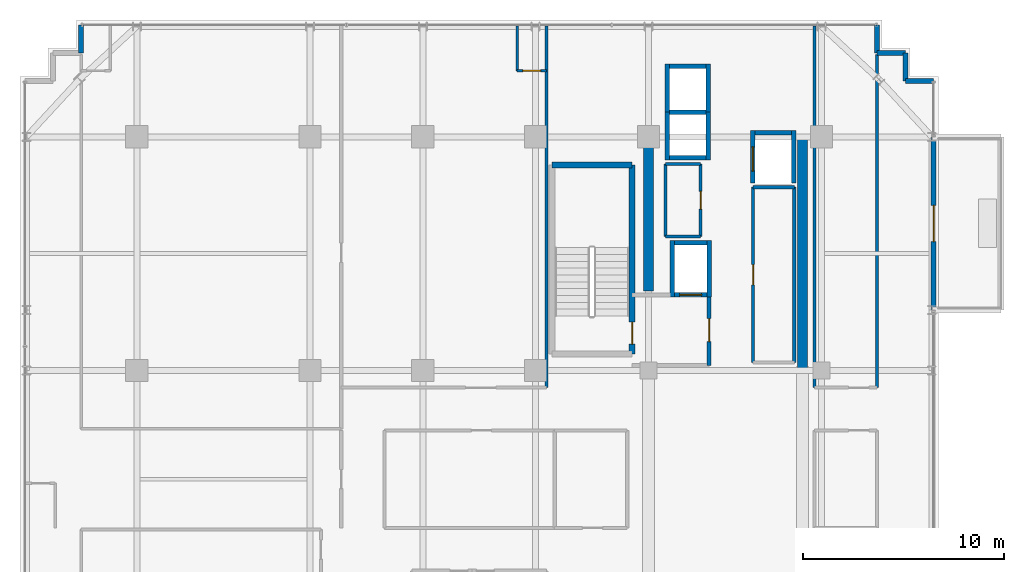
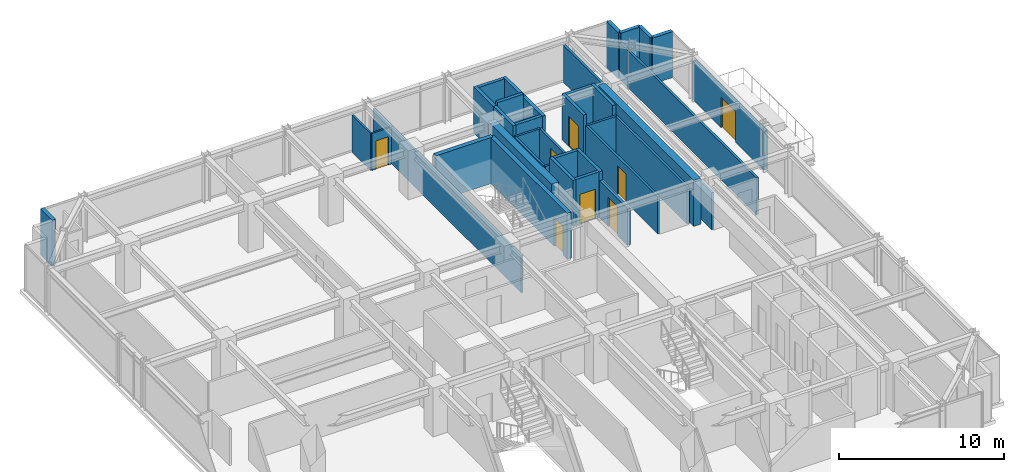
# One storey, part 27 of 31: 37 walls, 8 doors, 8 openings.
"""IFC4 building model written with IfcOpenShell, lengths in metres."""

from ifc_helpers import new_model, si_unit, direction, frame, frame_2d, origin, place, context, subcontext, project, spatial, rectangle, extrude, source, transform, mapped, material, layer, layer_set, type_object, element, fill, save


model = new_model("IFC4")

# Units and contexts
model_context = context("Model", 3, precision=1e-05, world=origin(), true_north=direction((0.0, 1.0)))
body_context = subcontext(model_context, "Body", "Model", "MODEL_VIEW")
ifc_project = project(units=[si_unit("LENGTHUNIT", "METRE"), si_unit("AREAUNIT", "SQUARE_METRE"), si_unit("VOLUMEUNIT", "CUBIC_METRE"), si_unit("PLANEANGLEUNIT", "RADIAN"), si_unit("MASSUNIT", "GRAM", prefix="KILO")], contexts=[model_context])

# Site, building, storey
site_placement = place(None, origin())
site = spatial("IfcSite", under=ifc_project, at=site_placement, CompositionType="ELEMENT")
building_placement = place(site_placement, origin())
building = spatial("IfcBuilding", under=site, at=building_placement, Name="Nahalor Promenade Grand Hotel", CompositionType="ELEMENT")
storey_placement = place(building_placement, frame((0.0, 0.0, 192.800048828125)))
storey = spatial("IfcBuildingStorey", under=building, at=storey_placement, Name="L49", CompositionType="ELEMENT", Elevation=192.800048828125)

# Walls
ifc_material_1 = material(Name="Concrete B-60 (C50/60)", Category="concrete")
ifc_layer_1 = layer(ifc_material_1, 0.5)
ifc_layer_set_1 = layer_set([ifc_layer_1], Name="Concrete B-60 (C50/60)")
wall_type_1 = type_object("IfcWallType", Name="Wall-CoreShear-500", PredefinedType="SHEAR", material=ifc_layer_set_1)
shared_shape_1 = source(origin(), body_context, "Body", "SweptSolid", [
    extrude(rectangle(XDim=7.64990234375, YDim=0.5, at=frame_2d((3.824951171875, 0.0))), origin(), (0.0, 0.0, 1.0), 3.389892578125),
])
wall_1_placement = place(storey_placement, frame((8.39990234375, 9.35009765625, 0.0), z_axis=(0.0, 0.0, 1.0), x_axis=(0.0, 1.0, 0.0)))
element("IfcWall", 1, at=wall_1_placement, inside=storey, type_object=wall_type_1, Name="CWALL-L49-NW", PredefinedType="SHEAR", context=body_context, shape_type="MappedRepresentation", body=[
    mapped(shared_shape_1, transform((0.0, 0.0, 0.0), scale=1.0)),
])
shared_shape_2 = source(origin(), body_context, "Body", "SweptSolid", [
    extrude(rectangle(XDim=11.60009765625, YDim=0.5, at=frame_2d((5.800048828125, 0.0))), origin(), (0.0, 0.0, 1.0), 3.389892578125),
])
wall_2_placement = place(storey_placement, frame((16.050048828125, 5.39990234375, 0.0), z_axis=(0.0, 0.0, 1.0), x_axis=(0.0, 1.0, 0.0)))
element("IfcWall", 2, at=wall_2_placement, inside=storey, type_object=wall_type_1, Name="CWALL-L49-NE", PredefinedType="SHEAR", context=body_context, shape_type="MappedRepresentation", body=[
    mapped(shared_shape_2, transform((0.0, 0.0, 0.0), scale=1.0)),
])
ifc_material_2 = material(Name="Concrete B-50 (C40/50)", Category="concrete")
ifc_layer_2 = layer(ifc_material_2, 0.300048828125)
ifc_layer_set_2 = layer_set([ifc_layer_2], Name="Concrete B-50 (C40/50)")
wall_type_2 = type_object("IfcWallType", Name="Wall-ShaftShear-300", PredefinedType="SHEAR", material=ifc_layer_set_2)
shared_shape_3 = source(origin(), body_context, "Body", "SweptSolid", [
    extrude(rectangle(XDim=3.97998046875, YDim=0.300048828125, at=frame_2d((1.989990234375, 0.0))), origin(), (0.0, 0.0, 1.0), 3.389892578125),
])
wall_3_placement = place(storey_placement, frame((3.610107421875, 15.590087890625, 0.0), z_axis=(0.0, 0.0, 1.0), x_axis=(1.0, 0.0, 0.0)))
element("IfcWall", 3, at=wall_3_placement, inside=storey, type_object=wall_type_2, Name="L49 Exit Stair ST1 Shaft Wall N", PredefinedType="SHEAR", context=body_context, shape_type="MappedRepresentation", body=[
    mapped(shared_shape_3, transform((0.0, 0.0, 0.0), scale=1.0)),
])

# Wall, opening, door
shared_shape_4 = source(origin(), body_context, "Body", "SweptSolid", [
    extrude(rectangle(XDim=9.380126953125, YDim=0.300048828125, at=frame_2d((4.68994140625, 0.0))), origin(), (0.0, 0.0, 1.0), 3.389892578125),
])
wall_4_placement = place(storey_placement, frame((7.590087890625, 6.2099609375, 0.0), z_axis=(0.0, 0.0, 1.0), x_axis=(0.0, 1.0, 0.0)))
wall_4 = element("IfcWall", 4, at=wall_4_placement, inside=storey, type_object=wall_type_2, Name="L49 Exit Stair ST1 Shaft Wall E", PredefinedType="SHEAR", context=body_context, shape_type="MappedRepresentation", body=[
    mapped(shared_shape_4, transform((0.0, 0.0, 0.0), scale=1.0)),
])
opening_1_placement = place(wall_4_placement, frame((0.489990234375, 0.0, 0.0)))
opening_1 = element("IfcOpeningElement", 5, at=opening_1_placement, cuts=wall_4, Name="Opening D-ST1", PredefinedType="OPENING", context=body_context, shape_type="SweptSolid", body=[
    extrude(rectangle(XDim=1.10009765625, YDim=2.14990234375, at=frame_2d((0.550048828125, 1.074951171875))), frame((0.0, 0.159912109375, 0.0), z_axis=(0.0, -1.0, 0.0), x_axis=(1.0, 0.0, 0.0)), (0.0, 0.0, 1.0), 0.320068359375),
])
ifc_material_3 = material(Name="Steel S355JR", Category="steel")
door_type_1 = type_object("IfcDoorType", Name="Door-StairFire-1100", OperationType="NOTDEFINED", PredefinedType="DOOR", material=ifc_material_3)
shared_shape_5 = source(origin(), body_context, "Body", "SweptSolid", [
    extrude(rectangle(XDim=1.10009765625, YDim=2.14990234375, at=frame_2d((0.550048828125, 1.074951171875))), frame((0.0, 0.02490234375, 0.0), z_axis=(0.0, -1.0, 0.0), x_axis=(1.0, 0.0, 0.0)), (0.0, 0.0, 1.0), 0.050048828125),
])
door_1_placement = place(opening_1_placement, origin())
door_1 = element("IfcDoor", 6, at=door_1_placement, inside=storey, type_object=door_type_1, Name="DR-STAIR-ST1-L49", OperationType="SINGLE_SWING_RIGHT", OverallHeight=2.14990234375, OverallWidth=1.10009765625, PredefinedType="DOOR", context=body_context, shape_type="MappedRepresentation", body=[
    mapped(shared_shape_5, transform((0.0, 0.0, 0.0), scale=1.0)),
])
fill(opening_1, door_1)

# Walls
ifc_layer_3 = layer(ifc_material_2, 0.219970703125)
ifc_layer_set_3 = layer_set([ifc_layer_3], Name="Concrete B-50 (C40/50)")
wall_type_3 = type_object("IfcWallType", Name="Wall-LiftShaft-220", PredefinedType="SHEAR", material=ifc_layer_set_3)
shared_shape_6 = source(origin(), body_context, "Body", "SweptSolid", [
    extrude(rectangle(XDim=1.820068359375, YDim=0.219970703125, at=frame_2d((0.91015625, 0.0))), origin(), (0.0, 0.0, 1.0), 3.64990234375),
])
wall_5_placement = place(storey_placement, frame((9.43994140625, 18.22509765625, 0.0), z_axis=(0.0, 0.0, 1.0), x_axis=(1.0, 0.0, 0.0)))
element("IfcWall", 7, at=wall_5_placement, inside=storey, type_object=wall_type_3, Name="L49 Lift OB1 Hoistway Wall N", PredefinedType="SHEAR", context=body_context, shape_type="MappedRepresentation", body=[
    mapped(shared_shape_6, transform((0.0, 0.0, 0.0), scale=1.0)),
])
shared_shape_7 = source(origin(), body_context, "Body", "SweptSolid", [
    extrude(rectangle(XDim=1.820068359375, YDim=0.219970703125, at=frame_2d((0.91015625, 0.0))), origin(), (0.0, 0.0, 1.0), 3.389892578125),
])
for number, where, z_axis, x_axis, name in (
    (8, (9.43994140625, 15.949951171875, 0.0), (0.0, 0.0, 1.0), (1.0, 0.0, 0.0), "L49 Lift OB1 Hoistway Wall S"),
    (9, (9.43994140625, 20.5, 0.0), (0.0, 0.0, 1.0), (1.0, 0.0, 0.0), "L49 Lift OB2 Hoistway Wall N"),
    (10, (13.68994140625, 17.199951171875, 0.0), (0.0, 0.0, 1.0), (1.0, 0.0, 0.0), "L49 Lift SV1 Hoistway Wall N"),
):
    element("IfcWall", number, at=place(storey_placement, frame(where, z_axis=z_axis, x_axis=x_axis)), inside=storey, type_object=wall_type_3, Name=name, PredefinedType="SHEAR", context=body_context, shape_type="MappedRepresentation", body=[
        mapped(shared_shape_7, transform((0.0, 0.0, 0.0), scale=1.0)),
    ])
shared_shape_8 = source(origin(), body_context, "Body", "SweptSolid", [
    extrude(rectangle(XDim=2.385009765625, YDim=0.219970703125, at=frame_2d((1.1923828125, 0.0))), origin(), (0.0, 0.0, 1.0), 3.389892578125),
])
for number, where, z_axis, x_axis, name in (
    (11, (9.330078125, 15.840087890625, 0.0), (0.0, 0.0, 1.0), (0.0, 1.0, 0.0), "L49 Lift OB1 Hoistway Wall W"),
    (12, (11.3701171875, 15.840087890625, 0.0), (0.0, 0.0, 1.0), (0.0, 1.0, 0.0), "L49 Lift OB1 Hoistway Wall E"),
    (13, (9.330078125, 18.22509765625, 0.0), (0.0, 0.0, 1.0), (0.0, 1.0, 0.0), "L49 Lift OB2 Hoistway Wall W"),
    (14, (11.3701171875, 18.22509765625, 0.0), (0.0, 0.0, 1.0), (0.0, 1.0, 0.0), "L49 Lift OB2 Hoistway Wall E"),
):
    element("IfcWall", number, at=place(storey_placement, frame(where, z_axis=z_axis, x_axis=x_axis)), inside=storey, type_object=wall_type_3, Name=name, PredefinedType="SHEAR", context=body_context, shape_type="MappedRepresentation", body=[
        mapped(shared_shape_8, transform((0.0, 0.0, 0.0), scale=1.0)),
    ])
shared_shape_9 = source(origin(), body_context, "Body", "SweptSolid", [
    extrude(rectangle(XDim=2.820068359375, YDim=0.219970703125, at=frame_2d((1.41015625, 0.0))), origin(), (0.0, 0.0, 1.0), 3.389892578125),
])
for number, where, z_axis, x_axis, name in (
    (15, (9.580078125, 9.0400390625, 0.0), (0.0, 0.0, 1.0), (0.0, 1.0, 0.0), "L49 Lift FL1 Hoistway Wall W"),
    (16, (11.419921875, 9.0400390625, 0.0), (0.0, 0.0, 1.0), (0.0, 1.0, 0.0), "L49 Lift FL1 Hoistway Wall E"),
):
    element("IfcWall", number, at=place(storey_placement, frame(where, z_axis=z_axis, x_axis=x_axis)), inside=storey, type_object=wall_type_3, Name=name, PredefinedType="SHEAR", context=body_context, shape_type="MappedRepresentation", body=[
        mapped(shared_shape_9, transform((0.0, 0.0, 0.0), scale=1.0)),
    ])

# Wall, opening, door
shared_shape_10 = source(origin(), body_context, "Body", "SweptSolid", [
    extrude(rectangle(XDim=1.6201171875, YDim=0.219970703125, at=frame_2d((0.81005859375, 0.0))), origin(), (0.0, 0.0, 1.0), 3.389892578125),
])
wall_6_placement = place(storey_placement, frame((9.68994140625, 9.14990234375, 0.0), z_axis=(0.0, 0.0, 1.0), x_axis=(1.0, 0.0, 0.0)))
wall_6 = element("IfcWall", 17, at=wall_6_placement, inside=storey, type_object=wall_type_3, Name="L49 Lift FL1 Hoistway Wall S", PredefinedType="SHEAR", context=body_context, shape_type="MappedRepresentation", body=[
    mapped(shared_shape_10, transform((0.0, 0.0, 0.0), scale=1.0)),
])
opening_2_placement = place(wall_6_placement, frame((0.260009765625, 0.0, 0.0)))
opening_2 = element("IfcOpeningElement", 18, at=opening_2_placement, cuts=wall_6, Name="Opening LD-02", PredefinedType="OPENING", context=body_context, shape_type="SweptSolid", body=[
    extrude(rectangle(XDim=1.10009765625, YDim=2.199951171875, at=frame_2d((0.550048828125, 1.10009765625))), frame((0.0, 0.119873046875, 0.0), z_axis=(0.0, -1.0, 0.0), x_axis=(1.0, 0.0, 0.0)), (0.0, 0.0, 1.0), 0.239990234375),
])
door_type_2 = type_object("IfcDoorType", Name="Door-LiftFF-1100", OperationType="DOUBLE_DOOR_SLIDING", PredefinedType="DOOR", material=ifc_material_3)
shared_shape_11 = source(origin(), body_context, "Body", "SweptSolid", [
    extrude(rectangle(XDim=1.10009765625, YDim=2.199951171875, at=frame_2d((0.550048828125, 1.10009765625))), frame((0.0, 0.02490234375, 0.0), z_axis=(0.0, -1.0, 0.0), x_axis=(1.0, 0.0, 0.0)), (0.0, 0.0, 1.0), 0.050048828125),
])
door_2_placement = place(opening_2_placement, frame((1.10009765625, 0.0, 0.0), z_axis=(0.0, 0.0, 1.0), x_axis=(-1.0, 0.0, 0.0)))
door_2 = element("IfcDoor", 19, at=door_2_placement, inside=storey, type_object=door_type_2, Name="DR-LIFT-FL1-L49", OperationType="DOUBLE_DOOR_SLIDING", OverallHeight=2.199951171875, OverallWidth=1.10009765625, PredefinedType="DOOR", context=body_context, shape_type="MappedRepresentation", body=[
    mapped(shared_shape_11, transform((0.0, 0.0, 0.0), scale=1.0)),
])
fill(opening_2, door_2)

# Wall
wall_7_placement = place(storey_placement, frame((9.68994140625, 11.75, 0.0), z_axis=(0.0, 0.0, 1.0), x_axis=(1.0, 0.0, 0.0)))
element("IfcWall", 20, at=wall_7_placement, inside=storey, type_object=wall_type_3, Name="L49 Lift FL1 Hoistway Wall N", PredefinedType="SHEAR", context=body_context, shape_type="MappedRepresentation", body=[
    mapped(shared_shape_10, transform((0.0, 0.0, 0.0), scale=1.0)),
])

# Wall, opening, door
shared_shape_12 = source(origin(), body_context, "Body", "SweptSolid", [
    extrude(rectangle(XDim=2.610107421875, YDim=0.219970703125, at=frame_2d((1.30517578125, 0.0))), origin(), (0.0, 0.0, 1.0), 3.389892578125),
])
wall_8_placement = place(storey_placement, frame((13.580078125, 14.699951171875, 0.0), z_axis=(0.0, 0.0, 1.0), x_axis=(0.0, 1.0, 0.0)))
wall_8 = element("IfcWall", 21, at=wall_8_placement, inside=storey, type_object=wall_type_3, Name="L49 Lift SV1 Hoistway Wall W", PredefinedType="SHEAR", context=body_context, shape_type="MappedRepresentation", body=[
    mapped(shared_shape_12, transform((0.0, 0.0, 0.0), scale=1.0)),
])
opening_3_placement = place(wall_8_placement, frame((0.60009765625, 0.0, 0.0)))
opening_3 = element("IfcOpeningElement", 22, at=opening_3_placement, cuts=wall_8, Name="Opening LD-03", PredefinedType="OPENING", context=body_context, shape_type="SweptSolid", body=[
    extrude(rectangle(XDim=1.199951171875, YDim=2.199951171875, at=frame_2d((0.60009765625, 1.10009765625))), frame((0.0, 0.119873046875, 0.0), z_axis=(0.0, -1.0, 0.0), x_axis=(1.0, 0.0, 0.0)), (0.0, 0.0, 1.0), 0.239990234375),
])
door_type_3 = type_object("IfcDoorType", Name="Door-LiftService-1200", OperationType="DOUBLE_DOOR_SLIDING", PredefinedType="DOOR", material=ifc_material_3)
shared_shape_13 = source(origin(), body_context, "Body", "SweptSolid", [
    extrude(rectangle(XDim=1.199951171875, YDim=2.199951171875, at=frame_2d((0.60009765625, 1.10009765625))), frame((0.0, 0.02490234375, 0.0), z_axis=(0.0, -1.0, 0.0), x_axis=(1.0, 0.0, 0.0)), (0.0, 0.0, 1.0), 0.050048828125),
])
door_3_placement = place(opening_3_placement, origin())
door_3 = element("IfcDoor", 23, at=door_3_placement, inside=storey, type_object=door_type_3, Name="DR-LIFT-SV1-L49", OperationType="DOUBLE_DOOR_SLIDING", OverallHeight=2.199951171875, OverallWidth=1.199951171875, PredefinedType="DOOR", context=body_context, shape_type="MappedRepresentation", body=[
    mapped(shared_shape_13, transform((0.0, 0.0, 0.0), scale=1.0)),
])
fill(opening_3, door_3)

# Walls
wall_9_placement = place(storey_placement, frame((15.6201171875, 14.699951171875, 0.0), z_axis=(0.0, 0.0, 1.0), x_axis=(0.0, 1.0, 0.0)))
element("IfcWall", 24, at=wall_9_placement, inside=storey, type_object=wall_type_3, Name="L49 Lift SV1 Hoistway Wall E", PredefinedType="SHEAR", context=body_context, shape_type="MappedRepresentation", body=[
    mapped(shared_shape_12, transform((0.0, 0.0, 0.0), scale=1.0)),
])
ifc_material_4 = material(Name="Concrete B-40 (C32/40)", Category="concrete")
ifc_layer_4 = layer(ifc_material_4, 0.25)
ifc_layer_set_4 = layer_set([ifc_layer_4], Name="Concrete B-40 (C32/40)")
wall_type_4 = type_object("IfcWallType", Name="Wall-BronzePier-250", PredefinedType="STANDARD", material=ifc_layer_set_4)
shared_shape_14 = source(origin(), body_context, "Body", "SweptSolid", [
    extrude(rectangle(XDim=1.400146484375, YDim=0.25, at=frame_2d((0.7001953125, 0.0))), origin(), (0.0, 0.0, 1.0), 3.389892578125),
])
for number, where, z_axis, x_axis, name in (
    (25, (21.159912109375, 19.760009765625, 0.0), (0.0, 0.0, 1.0), (1.0, 0.0, 0.0), "W-L49-SR-05"),
    (26, (19.760009765625, 21.159912109375, 0.0), (0.0, 0.0, 1.0), (0.0, 1.0, 0.0), "W-L49-SR-08"),
    (27, (-19.760009765625, 21.159912109375, 0.0), (0.0, 0.0, 1.0), (0.0, 1.0, 0.0), "W-L49-SR-09"),
):
    element("IfcWall", number, at=place(storey_placement, frame(where, z_axis=z_axis, x_axis=x_axis)), inside=storey, type_object=wall_type_4, Name=name, PredefinedType="STANDARD", context=body_context, shape_type="MappedRepresentation", body=[
        mapped(shared_shape_14, transform((0.0, 0.0, 0.0), scale=1.0)),
    ])
shared_shape_15 = source(origin(), body_context, "Body", "SweptSolid", [
    extrude(rectangle(XDim=1.39990234375, YDim=0.25, at=frame_2d((0.699951171875, 0.0))), origin(), (0.0, 0.0, 1.0), 3.389892578125),
])
for number, where, z_axis, x_axis, name in (
    (28, (21.159912109375, 19.760009765625, 0.0), (0.0, 0.0, 1.0), (0.0, 1.0, 0.0), "W-L49-SR-06"),
    (29, (19.760009765625, 21.159912109375, 0.0), (0.0, 0.0, 1.0), (1.0, 0.0, 0.0), "W-L49-SR-07"),
):
    element("IfcWall", number, at=place(storey_placement, frame(where, z_axis=z_axis, x_axis=x_axis)), inside=storey, type_object=wall_type_4, Name=name, PredefinedType="STANDARD", context=body_context, shape_type="MappedRepresentation", body=[
        mapped(shared_shape_15, transform((0.0, 0.0, 0.0), scale=1.0)),
    ])

# Wall, opening, door
ifc_layer_5 = layer(ifc_material_4, 0.260009765625)
ifc_layer_set_5 = layer_set([ifc_layer_5], Name="Concrete B-40 (C32/40)")
wall_type_5 = type_object("IfcWallType", Name="Wall-BalconyWall-260", PredefinedType="STANDARD", material=ifc_layer_set_5)
shared_shape_16 = source(origin(), body_context, "Body", "SweptSolid", [
    extrude(rectangle(XDim=8.60009765625, YDim=0.260009765625, at=frame_2d((4.300048828125, 0.0))), origin(), (0.0, 0.0, 1.0), 2.869873046875),
])
wall_10_placement = place(storey_placement, frame((22.56005859375, 8.39990234375, 0.0), z_axis=(0.0, 0.0, 1.0), x_axis=(0.0, 1.0, 0.0)))
wall_10 = element("IfcWall", 30, at=wall_10_placement, inside=storey, type_object=wall_type_5, Name="W-L49-BALC-E-2", PredefinedType="STANDARD", context=body_context, shape_type="MappedRepresentation", body=[
    mapped(shared_shape_16, transform((0.0, 0.0, 0.0), scale=1.0)),
])
opening_4_placement = place(wall_10_placement, frame((3.39990234375, 0.0, 0.0)))
opening_4 = element("IfcOpeningElement", 31, at=opening_4_placement, cuts=wall_10, Name="Opening D-BC1", PredefinedType="OPENING", context=body_context, shape_type="SweptSolid", body=[
    extrude(rectangle(XDim=1.800048828125, YDim=2.25, at=frame_2d((0.89990234375, 1.125))), frame((0.0, 0.139892578125, 0.0), z_axis=(0.0, -1.0, 0.0), x_axis=(1.0, 0.0, 0.0)), (0.0, 0.0, 1.0), 0.280029296875),
])
ifc_material_5 = material(Name="Anodised Bronze Aluminium EN AW-6063 T6", Category="aluminium")
door_type_4 = type_object("IfcDoorType", Name="Door-BalconySlide-1800", OperationType="DOUBLE_DOOR_SLIDING", PredefinedType="DOOR", material=ifc_material_5)
shared_shape_17 = source(origin(), body_context, "Body", "SweptSolid", [
    extrude(rectangle(XDim=1.800048828125, YDim=2.25, at=frame_2d((0.89990234375, 1.125))), frame((0.0, 0.02490234375, 0.0), z_axis=(0.0, -1.0, 0.0), x_axis=(1.0, 0.0, 0.0)), (0.0, 0.0, 1.0), 0.050048828125),
])
door_4_placement = place(opening_4_placement, frame((1.800048828125, 0.0, 0.0), z_axis=(0.0, 0.0, 1.0), x_axis=(-1.0, 0.0, 0.0)))
door_4 = element("IfcDoor", 32, at=door_4_placement, inside=storey, type_object=door_type_4, Name="DR-L49-BALC-E-2", OperationType="DOUBLE_DOOR_SLIDING", OverallHeight=2.25, OverallWidth=1.800048828125, PredefinedType="DOOR", context=body_context, shape_type="MappedRepresentation", body=[
    mapped(shared_shape_17, transform((0.0, 0.0, 0.0), scale=1.0)),
])
fill(opening_4, door_4)

ifc_layer_6 = layer(ifc_material_4, 0.199951171875)
ifc_layer_set_6 = layer_set([ifc_layer_6], Name="Concrete B-40 (C32/40)")
wall_type_6 = type_object("IfcWallType", Name="Wall-PartFire-200", PredefinedType="PARTITIONING", material=ifc_layer_set_6)
shared_shape_18 = source(origin(), body_context, "Body", "SweptSolid", [
    extrude(rectangle(XDim=3.5, YDim=0.199951171875, at=frame_2d((1.75, 0.0))), origin(), (0.0, 0.0, 1.0), 2.72998046875),
])
wall_11_placement = place(storey_placement, frame((11.419921875, 5.64990234375, 0.0), z_axis=(0.0, 0.0, 1.0), x_axis=(0.0, 1.0, 0.0)))
wall_11 = element("IfcWall", 33, at=wall_11_placement, inside=storey, type_object=wall_type_6, Name="W-L49-FF1-E", PredefinedType="PARTITIONING", context=body_context, shape_type="MappedRepresentation", body=[
    mapped(shared_shape_18, transform((0.0, 0.0, 0.0), scale=1.0)),
])
opening_5_placement = place(wall_11_placement, frame((1.175048828125, 0.0, 0.0)))
opening_5 = element("IfcOpeningElement", 34, at=opening_5_placement, cuts=wall_11, Name="Opening D-FF1", PredefinedType="OPENING", context=body_context, shape_type="SweptSolid", body=[
    extrude(rectangle(XDim=1.14990234375, YDim=2.14990234375, at=frame_2d((0.574951171875, 1.074951171875))), frame((0.0, 0.10986328125, 0.0), z_axis=(0.0, -1.0, 0.0), x_axis=(1.0, 0.0, 0.0)), (0.0, 0.0, 1.0), 0.219970703125),
])
door_type_5 = type_object("IfcDoorType", Name="Door-FFLobby-1150", OperationType="NOTDEFINED", PredefinedType="DOOR", material=ifc_material_3)
shared_shape_19 = source(origin(), body_context, "Body", "SweptSolid", [
    extrude(rectangle(XDim=1.14990234375, YDim=2.14990234375, at=frame_2d((0.574951171875, 1.074951171875))), frame((0.0, 0.02490234375, 0.0), z_axis=(0.0, -1.0, 0.0), x_axis=(1.0, 0.0, 0.0)), (0.0, 0.0, 1.0), 0.050048828125),
])
door_5_placement = place(opening_5_placement, frame((1.14990234375, 0.0, 0.0), z_axis=(0.0, 0.0, 1.0), x_axis=(-1.0, 0.0, 0.0)))
door_5 = element("IfcDoor", 35, at=door_5_placement, inside=storey, type_object=door_type_5, Name="DR-L49-FFL1", OperationType="SINGLE_SWING_RIGHT", OverallHeight=2.14990234375, OverallWidth=1.14990234375, PredefinedType="DOOR", context=body_context, shape_type="MappedRepresentation", body=[
    mapped(shared_shape_19, transform((0.0, 0.0, 0.0), scale=1.0)),
])
fill(opening_5, door_5)

# Walls
ifc_material_6 = material(Name="Acoustic Mineral Gypsum", Category="gypsum")
ifc_layer_7 = layer(ifc_material_6, 0.14990234375)
ifc_layer_set_7 = layer_set([ifc_layer_7], Name="Acoustic Mineral Gypsum")
wall_type_7 = type_object("IfcWallType", Name="Wall-PartService-150", PredefinedType="PARTITIONING", material=ifc_layer_set_7)
shared_shape_20 = source(origin(), body_context, "Body", "SweptSolid", [
    extrude(rectangle(XDim=1.75, YDim=0.14990234375, at=frame_2d((0.875, 0.0))), origin(), (0.0, 0.0, 1.0), 2.72998046875),
])
for number, where, z_axis, x_axis, name in (
    (36, (9.25, 12.050048828125, 0.0), (0.0, 0.0, 1.0), (1.0, 0.0, 0.0), "W-L49-CK1A-S"),
    (37, (9.25, 15.64990234375, 0.0), (0.0, 0.0, 1.0), (1.0, 0.0, 0.0), "W-L49-CK1A-N"),
):
    element("IfcWall", number, at=place(storey_placement, frame(where, z_axis=z_axis, x_axis=x_axis)), inside=storey, type_object=wall_type_7, Name=name, PredefinedType="PARTITIONING", context=body_context, shape_type="MappedRepresentation", body=[
        mapped(shared_shape_20, transform((0.0, 0.0, 0.0), scale=1.0)),
    ])
shared_shape_21 = source(origin(), body_context, "Body", "SweptSolid", [
    extrude(rectangle(XDim=3.599853515625, YDim=0.14990234375, at=frame_2d((1.7998046875, 0.0))), origin(), (0.0, 0.0, 1.0), 2.72998046875),
])
wall_12_placement = place(storey_placement, frame((9.25, 12.050048828125, 0.0), z_axis=(0.0, 0.0, 1.0), x_axis=(0.0, 1.0, 0.0)))
element("IfcWall", 38, at=wall_12_placement, inside=storey, type_object=wall_type_7, Name="W-L49-CK1A-W", PredefinedType="PARTITIONING", context=body_context, shape_type="MappedRepresentation", body=[
    mapped(shared_shape_21, transform((0.0, 0.0, 0.0), scale=1.0)),
])

# Wall, opening, door
wall_13_placement = place(storey_placement, frame((11.0, 12.050048828125, 0.0), z_axis=(0.0, 0.0, 1.0), x_axis=(0.0, 1.0, 0.0)))
wall_13 = element("IfcWall", 39, at=wall_13_placement, inside=storey, type_object=wall_type_7, Name="W-L49-CK1A-E", PredefinedType="PARTITIONING", context=body_context, shape_type="MappedRepresentation", body=[
    mapped(shared_shape_21, transform((0.0, 0.0, 0.0), scale=1.0)),
])
opening_6_placement = place(wall_13_placement, frame((1.360107421875, 0.0, 0.0)))
opening_6 = element("IfcOpeningElement", 40, at=opening_6_placement, cuts=wall_13, Name="Opening D-03", PredefinedType="OPENING", context=body_context, shape_type="SweptSolid", body=[
    extrude(rectangle(XDim=0.8798828125, YDim=2.10009765625, at=frame_2d((0.43994140625, 1.050048828125))), frame((0.0, 0.0849609375, 0.0), z_axis=(0.0, -1.0, 0.0), x_axis=(1.0, 0.0, 0.0)), (0.0, 0.0, 1.0), 0.169921875),
])
ifc_material_7 = material(Name="Fire-Rated Timber Composite", Category="wood")
door_type_6 = type_object("IfcDoorType", Name="Door-BathSwing-880", OperationType="NOTDEFINED", PredefinedType="DOOR", material=ifc_material_7)
shared_shape_22 = source(origin(), body_context, "Body", "SweptSolid", [
    extrude(rectangle(XDim=0.8798828125, YDim=2.10009765625, at=frame_2d((0.43994140625, 1.050048828125))), frame((0.0, 0.02490234375, 0.0), z_axis=(0.0, -1.0, 0.0), x_axis=(1.0, 0.0, 0.0)), (0.0, 0.0, 1.0), 0.050048828125),
])
door_6_placement = place(opening_6_placement, origin())
door_6 = element("IfcDoor", 41, at=door_6_placement, inside=storey, type_object=door_type_6, Name="DR-L49-CK1A", OperationType="SINGLE_SWING_RIGHT", OverallHeight=2.10009765625, OverallWidth=0.8798828125, PredefinedType="DOOR", context=body_context, shape_type="MappedRepresentation", body=[
    mapped(shared_shape_22, transform((0.0, 0.0, 0.0), scale=1.0)),
])
fill(opening_6, door_6)

# Wall
ifc_layer_8 = layer(ifc_material_6, 0.159912109375)
ifc_layer_set_8 = layer_set([ifc_layer_8], Name="Acoustic Mineral Gypsum")
wall_type_8 = type_object("IfcWallType", Name="Wall-PartCorridor-160", PredefinedType="PARTITIONING", material=ifc_layer_set_8)
shared_shape_23 = source(origin(), body_context, "Body", "SweptSolid", [
    extrude(rectangle(XDim=2.0498046875, YDim=0.159912109375, at=frame_2d((1.02490234375, 0.0))), origin(), (0.0, 0.0, 1.0), 2.72998046875),
])
wall_14_placement = place(storey_placement, frame((13.60009765625, 14.5, 0.0), z_axis=(0.0, 0.0, 1.0), x_axis=(1.0, 0.0, 0.0)))
element("IfcWall", 42, at=wall_14_placement, inside=storey, type_object=wall_type_8, Name="W-L49-FRB1-N", PredefinedType="PARTITIONING", context=body_context, shape_type="MappedRepresentation", body=[
    mapped(shared_shape_23, transform((0.0, 0.0, 0.0), scale=1.0)),
])

# Wall, opening, door
shared_shape_24 = source(origin(), body_context, "Body", "SweptSolid", [
    extrude(rectangle(XDim=8.699951171875, YDim=0.159912109375, at=frame_2d((4.35009765625, 0.0))), origin(), (0.0, 0.0, 1.0), 2.72998046875),
])
wall_15_placement = place(storey_placement, frame((13.60009765625, 5.800048828125, 0.0), z_axis=(0.0, 0.0, 1.0), x_axis=(0.0, 1.0, 0.0)))
wall_15 = element("IfcWall", 43, at=wall_15_placement, inside=storey, type_object=wall_type_8, Name="W-L49-FRB1-W", PredefinedType="PARTITIONING", context=body_context, shape_type="MappedRepresentation", body=[
    mapped(shared_shape_24, transform((0.0, 0.0, 0.0), scale=1.0)),
])
opening_7_placement = place(wall_15_placement, frame((3.85009765625, 0.0, 0.0)))
opening_7 = element("IfcOpeningElement", 44, at=opening_7_placement, cuts=wall_15, Name="Opening D-04", PredefinedType="OPENING", context=body_context, shape_type="SweptSolid", body=[
    extrude(rectangle(XDim=1.0, YDim=2.10009765625, at=frame_2d((0.5, 1.050048828125))), frame((0.0, 0.08984375, 0.0), z_axis=(0.0, -1.0, 0.0), x_axis=(1.0, 0.0, 0.0)), (0.0, 0.0, 1.0), 0.179931640625),
])
door_type_7 = type_object("IfcDoorType", Name="Door-ServiceFire-1000", OperationType="NOTDEFINED", PredefinedType="DOOR", material=ifc_material_3)
shared_shape_25 = source(origin(), body_context, "Body", "SweptSolid", [
    extrude(rectangle(XDim=1.0, YDim=2.10009765625, at=frame_2d((0.5, 1.050048828125))), frame((0.0, 0.02490234375, 0.0), z_axis=(0.0, -1.0, 0.0), x_axis=(1.0, 0.0, 0.0)), (0.0, 0.0, 1.0), 0.050048828125),
])
door_7_placement = place(opening_7_placement, frame((1.0, 0.0, 0.0), z_axis=(0.0, 0.0, 1.0), x_axis=(-1.0, 0.0, 0.0)))
door_7 = element("IfcDoor", 45, at=door_7_placement, inside=storey, type_object=door_type_7, Name="DR-L49-FRB1", OperationType="SINGLE_SWING_LEFT", OverallHeight=2.10009765625, OverallWidth=1.0, PredefinedType="DOOR", context=body_context, shape_type="MappedRepresentation", body=[
    mapped(shared_shape_25, transform((0.0, 0.0, 0.0), scale=1.0)),
])
fill(opening_7, door_7)

# Walls
wall_16_placement = place(storey_placement, frame((15.64990234375, 5.800048828125, 0.0), z_axis=(0.0, 0.0, 1.0), x_axis=(0.0, 1.0, 0.0)))
element("IfcWall", 46, at=wall_16_placement, inside=storey, type_object=wall_type_8, Name="W-L49-FRB1-E", PredefinedType="PARTITIONING", context=body_context, shape_type="MappedRepresentation", body=[
    mapped(shared_shape_24, transform((0.0, 0.0, 0.0), scale=1.0)),
])
shared_shape_26 = source(origin(), body_context, "Body", "SweptSolid", [
    extrude(rectangle(XDim=17.949951171875, YDim=0.159912109375, at=frame_2d((8.97509765625, 0.0))), origin(), (0.0, 0.0, 1.0), 2.72998046875),
])
wall_17_placement = place(storey_placement, frame((16.64990234375, 4.550048828125, 0.0), z_axis=(0.0, 0.0, 1.0), x_axis=(0.0, 1.0, 0.0)))
element("IfcWall", 47, at=wall_17_placement, inside=storey, type_object=wall_type_8, Name="W-L49-ENE-W", PredefinedType="PARTITIONING", context=body_context, shape_type="MappedRepresentation", body=[
    mapped(shared_shape_26, transform((0.0, 0.0, 0.0), scale=1.0)),
])
shared_shape_27 = source(origin(), body_context, "Body", "SweptSolid", [
    extrude(rectangle(XDim=16.530029296875, YDim=0.159912109375, at=frame_2d((8.26513671875, 0.0))), origin(), (0.0, 0.0, 1.0), 2.72998046875),
])
wall_18_placement = place(storey_placement, frame((19.760009765625, 4.550048828125, 0.0), z_axis=(0.0, 0.0, 1.0), x_axis=(0.0, 1.0, 0.0)))
element("IfcWall", 48, at=wall_18_placement, inside=storey, type_object=wall_type_8, Name="W-L49-ENE-E", PredefinedType="PARTITIONING", context=body_context, shape_type="MappedRepresentation", body=[
    mapped(shared_shape_27, transform((0.0, 0.0, 0.0), scale=1.0)),
])
ifc_layer_9 = layer(ifc_material_6, 0.1201171875)
ifc_layer_set_9 = layer_set([ifc_layer_9], Name="Acoustic Mineral Gypsum")
wall_type_9 = type_object("IfcWallType", Name="Wall-PartBath-120", PredefinedType="PARTITIONING", material=ifc_layer_set_9)
shared_shape_28 = source(origin(), body_context, "Body", "SweptSolid", [
    extrude(rectangle(XDim=2.219970703125, YDim=0.1201171875, at=frame_2d((1.10986328125, 0.0))), origin(), (0.0, 0.0, 1.0), 2.72998046875),
])
wall_19_placement = place(storey_placement, frame((1.889892578125, 20.280029296875, 0.0), z_axis=(0.0, 0.0, 1.0), x_axis=(0.0, 1.0, 0.0)))
element("IfcWall", 49, at=wall_19_placement, inside=storey, type_object=wall_type_9, Name="W-L49-N1-BV", PredefinedType="PARTITIONING", context=body_context, shape_type="MappedRepresentation", body=[
    mapped(shared_shape_28, transform((0.0, 0.0, 0.0), scale=1.0)),
])
ifc_layer_10 = layer(ifc_material_6, 0.139892578125)
ifc_layer_set_10 = layer_set([ifc_layer_10], Name="Acoustic Mineral Gypsum")
wall_type_10 = type_object("IfcWallType", Name="Wall-PartSuite-140", PredefinedType="PARTITIONING", material=ifc_layer_set_10)
shared_shape_29 = source(origin(), body_context, "Body", "SweptSolid", [
    extrude(rectangle(XDim=17.949951171875, YDim=0.139892578125, at=frame_2d((8.97509765625, 0.0))), origin(), (0.0, 0.0, 1.0), 2.72998046875),
])
wall_20_placement = place(storey_placement, frame((3.340087890625, 4.550048828125, 0.0), z_axis=(0.0, 0.0, 1.0), x_axis=(0.0, 1.0, 0.0)))
element("IfcWall", 50, at=wall_20_placement, inside=storey, type_object=wall_type_10, Name="W-L49-NW-ENDE", PredefinedType="PARTITIONING", context=body_context, shape_type="MappedRepresentation", body=[
    mapped(shared_shape_29, transform((0.0, 0.0, 0.0), scale=1.0)),
])

# Wall, opening, door
shared_shape_30 = source(origin(), body_context, "Body", "SweptSolid", [
    extrude(rectangle(XDim=1.4501953125, YDim=0.1201171875, at=frame_2d((0.72509765625, 0.0))), origin(), (0.0, 0.0, 1.0), 2.72998046875),
])
wall_21_placement = place(storey_placement, frame((1.889892578125, 20.280029296875, 0.0), z_axis=(0.0, 0.0, 1.0), x_axis=(1.0, 0.0, 0.0)))
wall_21 = element("IfcWall", 51, at=wall_21_placement, inside=storey, type_object=wall_type_9, Name="W-L49-N1-BH", PredefinedType="PARTITIONING", context=body_context, shape_type="MappedRepresentation", body=[
    mapped(shared_shape_30, transform((0.0, 0.0, 0.0), scale=1.0)),
])
opening_8_placement = place(wall_21_placement, frame((0.284912109375, 0.0, 0.0)))
opening_8 = element("IfcOpeningElement", 52, at=opening_8_placement, cuts=wall_21, Name="Opening D-03", PredefinedType="OPENING", context=body_context, shape_type="SweptSolid", body=[
    extrude(rectangle(XDim=0.8798828125, YDim=2.10009765625, at=frame_2d((0.43994140625, 1.050048828125))), frame((0.0, 0.070068359375, 0.0), z_axis=(0.0, -1.0, 0.0), x_axis=(1.0, 0.0, 0.0)), (0.0, 0.0, 1.0), 0.14013671875),
])
door_8_placement = place(opening_8_placement, origin())
door_8 = element("IfcDoor", 53, at=door_8_placement, inside=storey, type_object=door_type_6, Name="DR-L49-N1-BATH", OperationType="SINGLE_SWING_RIGHT", OverallHeight=2.10009765625, OverallWidth=0.8798828125, PredefinedType="DOOR", context=body_context, shape_type="MappedRepresentation", body=[
    mapped(shared_shape_22, transform((0.0, 0.0, 0.0), scale=1.0)),
])
fill(opening_8, door_8)

save(model, "model.ifc")
